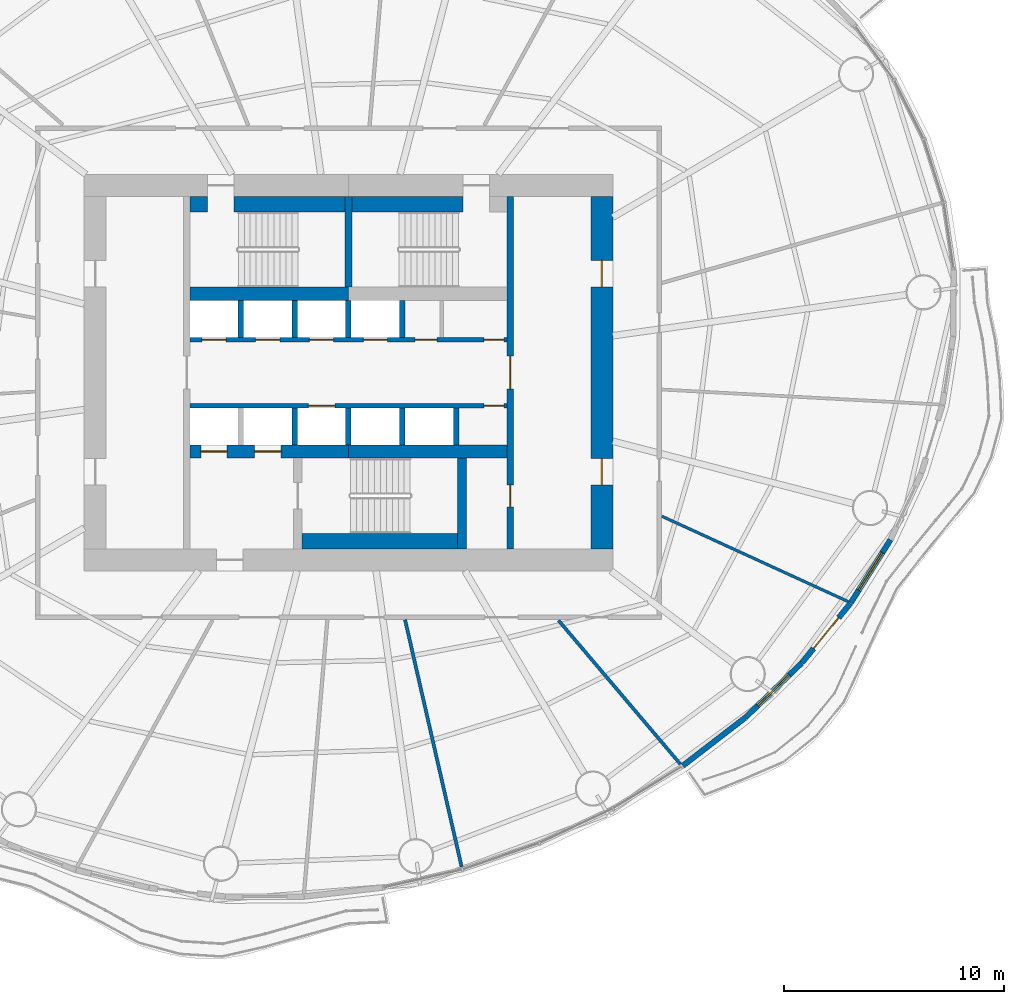
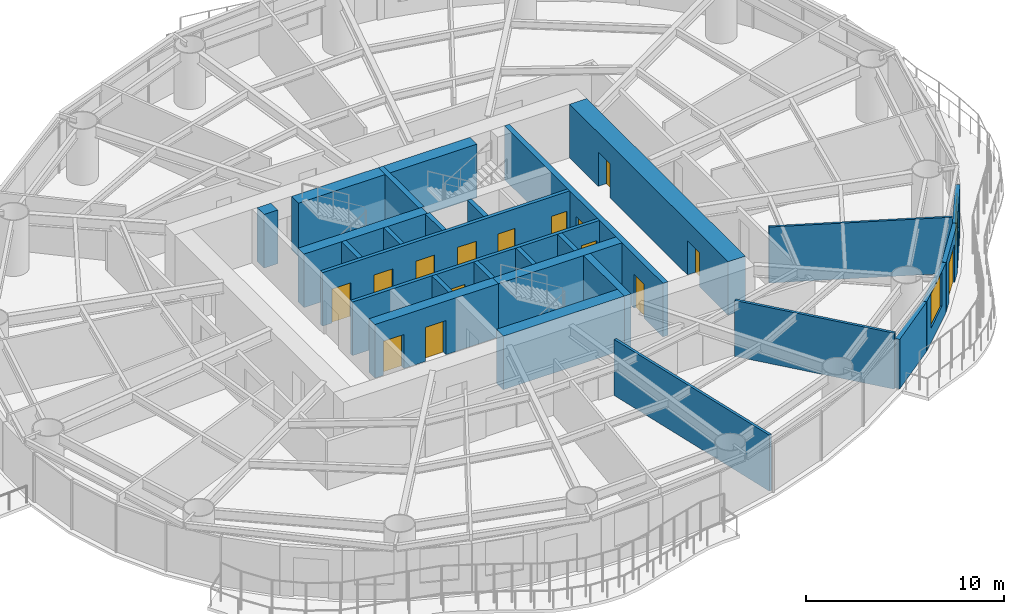
# One storey, part 8 of 15: 28 walls, 15 doors, 2 windows, 17 openings.
"""IFC4 building model written with IfcOpenShell, lengths in metres."""

from ifc_helpers import new_model, si_unit, direction, frame, frame_2d, origin, place, context, subcontext, project, spatial, rectangle, extrude, material, layer, layer_set, type_object, element, fill, save


model = new_model("IFC4")

# Units and contexts
model_context = context("Model", 3, precision=1e-05, world=origin(), true_north=direction((0.0, 1.0)))
body_context = subcontext(model_context, "Body", "Model", "MODEL_VIEW")
ifc_project = project(units=[si_unit("LENGTHUNIT", "METRE"), si_unit("AREAUNIT", "SQUARE_METRE"), si_unit("VOLUMEUNIT", "CUBIC_METRE"), si_unit("PLANEANGLEUNIT", "RADIAN"), si_unit("MASSUNIT", "GRAM", prefix="KILO")], contexts=[model_context])

# Site, building, storey
site_placement = place(None, origin())
site = spatial("IfcSite", under=ifc_project, at=site_placement, CompositionType="ELEMENT")
building_placement = place(site_placement, origin())
building = spatial("IfcBuilding", under=site, at=building_placement, Name="Vermilion Reach Broadcast Tower", CompositionType="ELEMENT")
storey_placement = place(building_placement, frame((0.0, 0.0, 121.0)))
storey = spatial("IfcBuildingStorey", under=building, at=storey_placement, Name="L28", CompositionType="ELEMENT", Elevation=121.0)

# Wall, openings, doors
ifc_material_1 = material(Name="Concrete C70", Category="concrete")
ifc_layer_1 = layer(ifc_material_1, 0.300048828125)
ifc_layer_set_1 = layer_set([ifc_layer_1], Name="Core inner wall 300 mm Concrete C70")
wall_type_1 = type_object("IfcWallType", Name="Core inner wall 300 mm Concrete C70", PredefinedType="SHEAR", material=ifc_layer_set_1)
wall_1_placement = place(storey_placement, frame((1.35009765625, -8.0, 0.0), z_axis=(0.0, 0.0, 1.0), x_axis=(0.0, 1.0, 0.0)))
wall_1 = element("IfcWall", 1, at=wall_1_placement, inside=storey, type_object=wall_type_1, Name="L28 core wall ewE", PredefinedType="SHEAR", context=body_context, shape_type="SweptSolid", body=[
    extrude(rectangle(XDim=16.0, YDim=0.300048828125, at=frame_2d((8.0, 0.0))), origin(), (0.0, 0.0, 1.0), 3.300048828125),
])
opening_1_placement = place(wall_1_placement, frame((1.909912109375, 0.0, 0.0)))
opening_1 = element("IfcOpeningElement", 2, at=opening_1_placement, cuts=wall_1, Name="Opening D05", PredefinedType="OPENING", context=body_context, shape_type="SweptSolid", body=[
    extrude(rectangle(XDim=1.0, YDim=2.10009765625, at=frame_2d((0.5, 1.050048828125))), frame((0.0, 0.159912109375, 0.0), z_axis=(0.0, -1.0, 0.0), x_axis=(1.0, 0.0, 0.0)), (0.0, 0.0, 1.0), 0.320068359375),
])
opening_2_placement = place(wall_1_placement, frame((7.25, 0.0, 0.0)))
opening_2 = element("IfcOpeningElement", 3, at=opening_2_placement, cuts=wall_1, Name="Opening D04", PredefinedType="OPENING", context=body_context, shape_type="SweptSolid", body=[
    extrude(rectangle(XDim=1.5, YDim=2.10009765625, at=frame_2d((0.75, 1.050048828125))), frame((0.0, 0.159912109375, 0.0), z_axis=(0.0, -1.0, 0.0), x_axis=(1.0, 0.0, 0.0)), (0.0, 0.0, 1.0), 0.320068359375),
])
ifc_material_2 = material(Name="Painted steel fire door", Category="steel")
door_type_1 = type_object("IfcDoorType", Name="Lift lobby door 1500 x 2100", OperationType="DOUBLE_DOOR_SINGLE_SWING", PredefinedType="NOTDEFINED", material=ifc_material_2)
door_1_placement = place(opening_2_placement, origin())
door_1 = element("IfcDoor", 4, at=door_1_placement, inside=storey, type_object=door_type_1, Name="L28 band door BE", OperationType="DOUBLE_DOOR_SINGLE_SWING", OverallHeight=2.10009765625, OverallWidth=1.5, PredefinedType="NOTDEFINED", context=body_context, shape_type="SweptSolid", body=[
    extrude(rectangle(XDim=1.5, YDim=2.10009765625, at=frame_2d((0.75, 1.050048828125))), frame((0.0, 0.02490234375, 0.0), z_axis=(0.0, -1.0, 0.0), x_axis=(1.0, 0.0, 0.0)), (0.0, 0.0, 1.0), 0.050048828125),
])
fill(opening_2, door_1)
ifc_material_3 = material(Name="Timber door", Category="wood")
door_type_2 = type_object("IfcDoorType", Name="Room door 1000 x 2100", OperationType="NOTDEFINED", PredefinedType="NOTDEFINED", material=ifc_material_3)
door_2_placement = place(opening_1_placement, origin())
door_2 = element("IfcDoor", 5, at=door_2_placement, inside=storey, type_object=door_type_2, Name="L28 door SER", OperationType="SINGLE_SWING_LEFT", OverallHeight=2.10009765625, OverallWidth=1.0, PredefinedType="NOTDEFINED", context=body_context, shape_type="SweptSolid", body=[
    extrude(rectangle(XDim=1.0, YDim=2.10009765625, at=frame_2d((0.5, 1.050048828125))), frame((0.0, 0.02490234375, 0.0), z_axis=(0.0, -1.0, 0.0), x_axis=(1.0, 0.0, 0.0)), (0.0, 0.0, 1.0), 0.050048828125),
])
fill(opening_1, door_2)

# Walls
wall_2_placement = place(storey_placement, frame((-6.0, 3.8798828125, 0.0), z_axis=(0.0, 0.0, 1.0), x_axis=(0.0, 1.0, 0.0)))
element("IfcWall", 6, at=wall_2_placement, inside=storey, type_object=wall_type_1, Name="L28 core wall wc", PredefinedType="SHEAR", context=body_context, shape_type="SweptSolid", body=[
    extrude(rectangle(XDim=4.1201171875, YDim=0.300048828125, at=frame_2d((2.06005859375, 0.0))), origin(), (0.0, 0.0, 1.0), 3.300048828125),
])
ifc_material_4 = material(Name="Concrete C70", Category="concrete")
ifc_layer_2 = layer(ifc_material_4, 0.39990234375)
ifc_layer_set_2 = layer_set([ifc_layer_2], Name="Core inner wall 400 mm Concrete C70")
wall_type_2 = type_object("IfcWallType", Name="Core inner wall 400 mm Concrete C70", PredefinedType="SHEAR", material=ifc_layer_set_2)
wall_3_placement = place(storey_placement, frame((-0.85009765625, -3.8798828125, 0.0), z_axis=(0.0, 0.0, 1.0), x_axis=(0.0, -1.0, 0.0)))
element("IfcWall", 7, at=wall_3_placement, inside=storey, type_object=wall_type_2, Name="L28 core wall wb", PredefinedType="SHEAR", context=body_context, shape_type="SweptSolid", body=[
    extrude(rectangle(XDim=4.1201171875, YDim=0.39990234375, at=frame_2d((2.06005859375, 0.0))), origin(), (0.0, 0.0, 1.0), 3.300048828125),
])
ifc_material_5 = material(Name="Concrete C70", Category="concrete")
ifc_layer_3 = layer(ifc_material_5, 0.60009765625)
ifc_layer_set_3 = layer_set([ifc_layer_3], Name="Core inner wall 600 mm Concrete C70")
wall_type_3 = type_object("IfcWallType", Name="Core inner wall 600 mm Concrete C70", PredefinedType="SHEAR", material=ifc_layer_set_3)
wall_4_placement = place(storey_placement, frame((-13.199951171875, 3.580078125, 0.0), z_axis=(0.0, 0.0, 1.0), x_axis=(1.0, 0.0, 0.0)))
element("IfcWall", 8, at=wall_4_placement, inside=storey, type_object=wall_type_3, Name="L28 core wall winW", PredefinedType="SHEAR", context=body_context, shape_type="SweptSolid", body=[
    extrude(rectangle(XDim=7.199951171875, YDim=0.60009765625, at=frame_2d((3.60009765625, 0.0))), origin(), (0.0, 0.0, 1.0), 3.300048828125),
])

# Wall, openings, doors
wall_5_placement = place(storey_placement, frame((-13.199951171875, -3.580078125, 0.0), z_axis=(0.0, 0.0, 1.0), x_axis=(1.0, 0.0, 0.0)))
wall_5 = element("IfcWall", 9, at=wall_5_placement, inside=storey, type_object=wall_type_3, Name="L28 core wall wisW", PredefinedType="SHEAR", context=body_context, shape_type="SweptSolid", body=[
    extrude(rectangle(XDim=7.199951171875, YDim=0.60009765625, at=frame_2d((3.60009765625, 0.0))), origin(), (0.0, 0.0, 1.0), 3.300048828125),
])
opening_3_placement = place(wall_5_placement, frame((0.495849609375, 0.0, 0.0)))
opening_3 = element("IfcOpeningElement", 10, at=opening_3_placement, cuts=wall_5, Name="Opening LD1", PredefinedType="OPENING", context=body_context, shape_type="SweptSolid", body=[
    extrude(rectangle(XDim=1.199951171875, YDim=2.10009765625, at=frame_2d((0.60009765625, 1.050048828125))), frame((0.0, 0.31005859375, 0.0), z_axis=(0.0, -1.0, 0.0), x_axis=(1.0, 0.0, 0.0)), (0.0, 0.0, 1.0), 0.6201171875),
])
opening_4_placement = place(wall_5_placement, frame((2.9375, 0.0, 0.0)))
opening_4 = element("IfcOpeningElement", 11, at=opening_4_placement, cuts=wall_5, Name="Opening LD1", PredefinedType="OPENING", context=body_context, shape_type="SweptSolid", body=[
    extrude(rectangle(XDim=1.199951171875, YDim=2.10009765625, at=frame_2d((0.60009765625, 1.050048828125))), frame((0.0, 0.31005859375, 0.0), z_axis=(0.0, -1.0, 0.0), x_axis=(1.0, 0.0, 0.0)), (0.0, 0.0, 1.0), 0.6201171875),
])
ifc_material_6 = material(Name="Stainless steel", Category="steel")
door_type_3 = type_object("IfcDoorType", Name="Landing door 1200 x 2100", OperationType="DOUBLE_DOOR_SLIDING", PredefinedType="NOTDEFINED", material=ifc_material_6)
door_3_placement = place(opening_3_placement, origin())
door_3 = element("IfcDoor", 12, at=door_3_placement, inside=storey, type_object=door_type_3, Name="L28 landing door FF1", OperationType="DOUBLE_DOOR_SLIDING", OverallHeight=2.10009765625, OverallWidth=1.199951171875, PredefinedType="NOTDEFINED", context=body_context, shape_type="SweptSolid", body=[
    extrude(rectangle(XDim=1.199951171875, YDim=2.10009765625, at=frame_2d((0.60009765625, 1.050048828125))), frame((0.0, 0.02490234375, 0.0), z_axis=(0.0, -1.0, 0.0), x_axis=(1.0, 0.0, 0.0)), (0.0, 0.0, 1.0), 0.050048828125),
])
fill(opening_3, door_3)
door_4_placement = place(opening_4_placement, origin())
door_4 = element("IfcDoor", 13, at=door_4_placement, inside=storey, type_object=door_type_3, Name="L28 landing door FF2", OperationType="DOUBLE_DOOR_SLIDING", OverallHeight=2.10009765625, OverallWidth=1.199951171875, PredefinedType="NOTDEFINED", context=body_context, shape_type="SweptSolid", body=[
    extrude(rectangle(XDim=1.199951171875, YDim=2.10009765625, at=frame_2d((0.60009765625, 1.050048828125))), frame((0.0, 0.02490234375, 0.0), z_axis=(0.0, -1.0, 0.0), x_axis=(1.0, 0.0, 0.0)), (0.0, 0.0, 1.0), 0.050048828125),
])
fill(opening_4, door_4)

# Wall
wall_6_placement = place(storey_placement, frame((-6.0, -3.580078125, 0.0), z_axis=(0.0, 0.0, 1.0), x_axis=(1.0, 0.0, 0.0)))
element("IfcWall", 14, at=wall_6_placement, inside=storey, type_object=wall_type_3, Name="L28 core wall wisE", PredefinedType="SHEAR", context=body_context, shape_type="SweptSolid", body=[
    extrude(rectangle(XDim=7.199951171875, YDim=0.60009765625, at=frame_2d((3.60009765625, 0.0))), origin(), (0.0, 0.0, 1.0), 3.300048828125),
])

# Wall, openings, doors
ifc_material_7 = material(Name="Concrete C70", Category="concrete")
ifc_layer_4 = layer(ifc_material_7, 1.0)
ifc_layer_set_4 = layer_set([ifc_layer_4], Name="Core outer wall 1000 mm Concrete C70")
wall_type_4 = type_object("IfcWallType", Name="Core outer wall 1000 mm Concrete C70", PredefinedType="SHEAR", material=ifc_layer_set_4)
wall_7_placement = place(storey_placement, frame((5.5, -8.0, 0.0), z_axis=(0.0, 0.0, 1.0), x_axis=(0.0, 1.0, 0.0)))
wall_7 = element("IfcWall", 15, at=wall_7_placement, inside=storey, type_object=wall_type_4, Name="L28 core wall oe", PredefinedType="SHEAR", context=body_context, shape_type="SweptSolid", body=[
    extrude(rectangle(XDim=16.0, YDim=1.0, at=frame_2d((8.0, 0.0))), origin(), (0.0, 0.0, 1.0), 3.300048828125),
])
opening_5_placement = place(wall_7_placement, frame((2.89990234375, 0.0, 0.0)))
opening_5 = element("IfcOpeningElement", 16, at=opening_5_placement, cuts=wall_7, Name="Opening D03", PredefinedType="OPENING", context=body_context, shape_type="SweptSolid", body=[
    extrude(rectangle(XDim=1.199951171875, YDim=2.10009765625, at=frame_2d((0.60009765625, 1.050048828125))), frame((0.0, 0.510009765625, 0.0), z_axis=(0.0, -1.0, 0.0), x_axis=(1.0, 0.0, 0.0)), (0.0, 0.0, 1.0), 1.02001953125),
])
opening_6_placement = place(wall_7_placement, frame((11.89990234375, 0.0, 0.0)))
opening_6 = element("IfcOpeningElement", 17, at=opening_6_placement, cuts=wall_7, Name="Opening D03", PredefinedType="OPENING", context=body_context, shape_type="SweptSolid", body=[
    extrude(rectangle(XDim=1.199951171875, YDim=2.10009765625, at=frame_2d((0.60009765625, 1.050048828125))), frame((0.0, 0.510009765625, 0.0), z_axis=(0.0, -1.0, 0.0), x_axis=(1.0, 0.0, 0.0)), (0.0, 0.0, 1.0), 1.02001953125),
])
ifc_material_8 = material(Name="Painted steel fire door", Category="steel")
door_type_4 = type_object("IfcDoorType", Name="Core lobby door 1200 x 2100", OperationType="DOUBLE_DOOR_SINGLE_SWING", PredefinedType="NOTDEFINED", material=ifc_material_8)
door_5_placement = place(opening_5_placement, origin())
door_5 = element("IfcDoor", 18, at=door_5_placement, inside=storey, type_object=door_type_4, Name="L28 slot door E0", OperationType="DOUBLE_DOOR_SINGLE_SWING", OverallHeight=2.10009765625, OverallWidth=1.199951171875, PredefinedType="NOTDEFINED", context=body_context, shape_type="SweptSolid", body=[
    extrude(rectangle(XDim=1.199951171875, YDim=2.10009765625, at=frame_2d((0.60009765625, 1.050048828125))), frame((0.0, 0.02490234375, 0.0), z_axis=(0.0, -1.0, 0.0), x_axis=(1.0, 0.0, 0.0)), (0.0, 0.0, 1.0), 0.050048828125),
])
fill(opening_5, door_5)
door_6_placement = place(opening_6_placement, origin())
door_6 = element("IfcDoor", 19, at=door_6_placement, inside=storey, type_object=door_type_4, Name="L28 slot door E1", OperationType="DOUBLE_DOOR_SINGLE_SWING", OverallHeight=2.10009765625, OverallWidth=1.199951171875, PredefinedType="NOTDEFINED", context=body_context, shape_type="SweptSolid", body=[
    extrude(rectangle(XDim=1.199951171875, YDim=2.10009765625, at=frame_2d((0.60009765625, 1.050048828125))), frame((0.0, 0.02490234375, 0.0), z_axis=(0.0, -1.0, 0.0), x_axis=(1.0, 0.0, 0.0)), (0.0, 0.0, 1.0), 0.050048828125),
])
fill(opening_6, door_6)

ifc_material_9 = material(Name="Concrete C50", Category="concrete")
ifc_layer_5 = layer(ifc_material_9, 0.199951171875)
ifc_layer_set_5 = layer_set([ifc_layer_5], Name="Core shaft wall 200 mm Concrete C50")
wall_type_5 = type_object("IfcWallType", Name="Core shaft wall 200 mm Concrete C50", PredefinedType="SHEAR", material=ifc_layer_set_5)
wall_8_placement = place(storey_placement, frame((-13.199951171875, 1.5, 0.0), z_axis=(0.0, 0.0, 1.0), x_axis=(1.0, 0.0, 0.0)))
wall_8 = element("IfcWall", 20, at=wall_8_placement, inside=storey, type_object=wall_type_5, Name="L28 core wall fn", PredefinedType="SHEAR", context=body_context, shape_type="SweptSolid", body=[
    extrude(rectangle(XDim=14.39990234375, YDim=0.199951171875, at=frame_2d((7.199951171875, 0.0))), origin(), (0.0, 0.0, 1.0), 3.300048828125),
])
opening_7_placement = place(wall_8_placement, frame((0.5458984375, 0.0, 0.0)))
opening_7 = element("IfcOpeningElement", 21, at=opening_7_placement, cuts=wall_8, Name="Opening LD2", PredefinedType="OPENING", context=body_context, shape_type="SweptSolid", body=[
    extrude(rectangle(XDim=1.10009765625, YDim=2.10009765625, at=frame_2d((0.550048828125, 1.050048828125))), frame((0.0, 0.10986328125, 0.0), z_axis=(0.0, -1.0, 0.0), x_axis=(1.0, 0.0, 0.0)), (0.0, 0.0, 1.0), 0.219970703125),
])
opening_8_placement = place(wall_8_placement, frame((2.987548828125, 0.0, 0.0)))
opening_8 = element("IfcOpeningElement", 22, at=opening_8_placement, cuts=wall_8, Name="Opening LD2", PredefinedType="OPENING", context=body_context, shape_type="SweptSolid", body=[
    extrude(rectangle(XDim=1.10009765625, YDim=2.10009765625, at=frame_2d((0.550048828125, 1.050048828125))), frame((0.0, 0.10986328125, 0.0), z_axis=(0.0, -1.0, 0.0), x_axis=(1.0, 0.0, 0.0)), (0.0, 0.0, 1.0), 0.219970703125),
])
opening_9_placement = place(wall_8_placement, frame((5.42919921875, 0.0, 0.0)))
opening_9 = element("IfcOpeningElement", 23, at=opening_9_placement, cuts=wall_8, Name="Opening LD2", PredefinedType="OPENING", context=body_context, shape_type="SweptSolid", body=[
    extrude(rectangle(XDim=1.10009765625, YDim=2.10009765625, at=frame_2d((0.550048828125, 1.050048828125))), frame((0.0, 0.10986328125, 0.0), z_axis=(0.0, -1.0, 0.0), x_axis=(1.0, 0.0, 0.0)), (0.0, 0.0, 1.0), 0.219970703125),
])
opening_10_placement = place(wall_8_placement, frame((7.870849609375, 0.0, 0.0)))
opening_10 = element("IfcOpeningElement", 24, at=opening_10_placement, cuts=wall_8, Name="Opening LD2", PredefinedType="OPENING", context=body_context, shape_type="SweptSolid", body=[
    extrude(rectangle(XDim=1.10009765625, YDim=2.10009765625, at=frame_2d((0.550048828125, 1.050048828125))), frame((0.0, 0.10986328125, 0.0), z_axis=(0.0, -1.0, 0.0), x_axis=(1.0, 0.0, 0.0)), (0.0, 0.0, 1.0), 0.219970703125),
])
opening_11_placement = place(wall_8_placement, frame((10.209716796875, 0.0, 0.0)))
opening_11 = element("IfcOpeningElement", 25, at=opening_11_placement, cuts=wall_8, Name="Opening D07", PredefinedType="OPENING", context=body_context, shape_type="SweptSolid", body=[
    extrude(rectangle(XDim=1.0, YDim=2.10009765625, at=frame_2d((0.5, 1.050048828125))), frame((0.0, 0.10986328125, 0.0), z_axis=(0.0, -1.0, 0.0), x_axis=(1.0, 0.0, 0.0)), (0.0, 0.0, 1.0), 0.219970703125),
])
opening_12_placement = place(wall_8_placement, frame((13.35009765625, 0.0, 0.0)))
opening_12 = element("IfcOpeningElement", 26, at=opening_12_placement, cuts=wall_8, Name="Opening D06", PredefinedType="OPENING", context=body_context, shape_type="SweptSolid", body=[
    extrude(rectangle(XDim=0.89990234375, YDim=2.10009765625, at=frame_2d((0.449951171875, 1.050048828125))), frame((0.0, 0.10986328125, 0.0), z_axis=(0.0, -1.0, 0.0), x_axis=(1.0, 0.0, 0.0)), (0.0, 0.0, 1.0), 0.219970703125),
])
ifc_material_10 = material(Name="Timber door", Category="wood")
door_type_5 = type_object("IfcDoorType", Name="Accessible WC door 1000 x 2100", OperationType="NOTDEFINED", PredefinedType="NOTDEFINED", material=ifc_material_10)
door_7_placement = place(opening_11_placement, origin())
door_7 = element("IfcDoor", 27, at=door_7_placement, inside=storey, type_object=door_type_5, Name="L28 door Accessible WC", OperationType="SINGLE_SWING_RIGHT", OverallHeight=2.10009765625, OverallWidth=1.0, PredefinedType="NOTDEFINED", context=body_context, shape_type="SweptSolid", body=[
    extrude(rectangle(XDim=1.0, YDim=2.10009765625, at=frame_2d((0.5, 1.050048828125))), frame((0.0, 0.02490234375, 0.0), z_axis=(0.0, -1.0, 0.0), x_axis=(1.0, 0.0, 0.0)), (0.0, 0.0, 1.0), 0.050048828125),
])
fill(opening_11, door_7)
ifc_material_11 = material(Name="Stainless steel", Category="steel")
door_type_6 = type_object("IfcDoorType", Name="Landing door 1100 x 2100", OperationType="DOUBLE_DOOR_SLIDING", PredefinedType="NOTDEFINED", material=ifc_material_11)
door_8_placement = place(opening_7_placement, origin())
door_8 = element("IfcDoor", 28, at=door_8_placement, inside=storey, type_object=door_type_6, Name="L28 landing door LR1", OperationType="DOUBLE_DOOR_SLIDING", OverallHeight=2.10009765625, OverallWidth=1.10009765625, PredefinedType="NOTDEFINED", context=body_context, shape_type="SweptSolid", body=[
    extrude(rectangle(XDim=1.10009765625, YDim=2.10009765625, at=frame_2d((0.550048828125, 1.050048828125))), frame((0.0, 0.02490234375, 0.0), z_axis=(0.0, -1.0, 0.0), x_axis=(1.0, 0.0, 0.0)), (0.0, 0.0, 1.0), 0.050048828125),
])
fill(opening_7, door_8)
door_9_placement = place(opening_8_placement, origin())
door_9 = element("IfcDoor", 29, at=door_9_placement, inside=storey, type_object=door_type_6, Name="L28 landing door LR2", OperationType="DOUBLE_DOOR_SLIDING", OverallHeight=2.10009765625, OverallWidth=1.10009765625, PredefinedType="NOTDEFINED", context=body_context, shape_type="SweptSolid", body=[
    extrude(rectangle(XDim=1.10009765625, YDim=2.10009765625, at=frame_2d((0.550048828125, 1.050048828125))), frame((0.0, 0.02490234375, 0.0), z_axis=(0.0, -1.0, 0.0), x_axis=(1.0, 0.0, 0.0)), (0.0, 0.0, 1.0), 0.050048828125),
])
fill(opening_8, door_9)
door_10_placement = place(opening_9_placement, origin())
door_10 = element("IfcDoor", 30, at=door_10_placement, inside=storey, type_object=door_type_6, Name="L28 landing door LR3", OperationType="DOUBLE_DOOR_SLIDING", OverallHeight=2.10009765625, OverallWidth=1.10009765625, PredefinedType="NOTDEFINED", context=body_context, shape_type="SweptSolid", body=[
    extrude(rectangle(XDim=1.10009765625, YDim=2.10009765625, at=frame_2d((0.550048828125, 1.050048828125))), frame((0.0, 0.02490234375, 0.0), z_axis=(0.0, -1.0, 0.0), x_axis=(1.0, 0.0, 0.0)), (0.0, 0.0, 1.0), 0.050048828125),
])
fill(opening_9, door_10)
door_11_placement = place(opening_10_placement, origin())
door_11 = element("IfcDoor", 31, at=door_11_placement, inside=storey, type_object=door_type_6, Name="L28 landing door LR4", OperationType="DOUBLE_DOOR_SLIDING", OverallHeight=2.10009765625, OverallWidth=1.10009765625, PredefinedType="NOTDEFINED", context=body_context, shape_type="SweptSolid", body=[
    extrude(rectangle(XDim=1.10009765625, YDim=2.10009765625, at=frame_2d((0.550048828125, 1.050048828125))), frame((0.0, 0.02490234375, 0.0), z_axis=(0.0, -1.0, 0.0), x_axis=(1.0, 0.0, 0.0)), (0.0, 0.0, 1.0), 0.050048828125),
])
fill(opening_10, door_11)
ifc_material_12 = material(Name="Timber door", Category="wood")
door_type_7 = type_object("IfcDoorType", Name="WC door 900 x 2100", OperationType="NOTDEFINED", PredefinedType="NOTDEFINED", material=ifc_material_12)
door_12_placement = place(opening_12_placement, origin())
door_12 = element("IfcDoor", 32, at=door_12_placement, inside=storey, type_object=door_type_7, Name="L28 door Female WC", OperationType="SINGLE_SWING_RIGHT", OverallHeight=2.10009765625, OverallWidth=0.89990234375, PredefinedType="NOTDEFINED", context=body_context, shape_type="SweptSolid", body=[
    extrude(rectangle(XDim=0.89990234375, YDim=2.10009765625, at=frame_2d((0.449951171875, 1.050048828125))), frame((0.0, 0.02490234375, 0.0), z_axis=(0.0, -1.0, 0.0), x_axis=(1.0, 0.0, 0.0)), (0.0, 0.0, 1.0), 0.050048828125),
])
fill(opening_12, door_12)

wall_9_placement = place(storey_placement, frame((1.199951171875, -1.5, 0.0), z_axis=(0.0, 0.0, 1.0), x_axis=(-1.0, 0.0, 0.0)))
wall_9 = element("IfcWall", 33, at=wall_9_placement, inside=storey, type_object=wall_type_5, Name="L28 core wall fs", PredefinedType="SHEAR", context=body_context, shape_type="SweptSolid", body=[
    extrude(rectangle(XDim=14.39990234375, YDim=0.199951171875, at=frame_2d((7.199951171875, 0.0))), origin(), (0.0, 0.0, 1.0), 3.300048828125),
])
opening_13_placement = place(wall_9_placement, frame((7.82080078125, 0.0, 0.0)))
opening_13 = element("IfcOpeningElement", 34, at=opening_13_placement, cuts=wall_9, Name="Opening LD1", PredefinedType="OPENING", context=body_context, shape_type="SweptSolid", body=[
    extrude(rectangle(XDim=1.199951171875, YDim=2.10009765625, at=frame_2d((0.60009765625, 1.050048828125))), frame((0.0, 0.10986328125, 0.0), z_axis=(0.0, -1.0, 0.0), x_axis=(1.0, 0.0, 0.0)), (0.0, 0.0, 1.0), 0.219970703125),
])
opening_14_placement = place(wall_9_placement, frame((0.14990234375, 0.0, 0.0)))
opening_14 = element("IfcOpeningElement", 35, at=opening_14_placement, cuts=wall_9, Name="Opening D06", PredefinedType="OPENING", context=body_context, shape_type="SweptSolid", body=[
    extrude(rectangle(XDim=0.89990234375, YDim=2.10009765625, at=frame_2d((0.449951171875, 1.050048828125))), frame((0.0, 0.10986328125, 0.0), z_axis=(0.0, -1.0, 0.0), x_axis=(1.0, 0.0, 0.0)), (0.0, 0.0, 1.0), 0.219970703125),
])
door_13_placement = place(opening_13_placement, origin())
door_13 = element("IfcDoor", 36, at=door_13_placement, inside=storey, type_object=door_type_3, Name="L28 landing door SV1", OperationType="DOUBLE_DOOR_SLIDING", OverallHeight=2.10009765625, OverallWidth=1.199951171875, PredefinedType="NOTDEFINED", context=body_context, shape_type="SweptSolid", body=[
    extrude(rectangle(XDim=1.199951171875, YDim=2.10009765625, at=frame_2d((0.60009765625, 1.050048828125))), frame((0.0, 0.02490234375, 0.0), z_axis=(0.0, -1.0, 0.0), x_axis=(1.0, 0.0, 0.0)), (0.0, 0.0, 1.0), 0.050048828125),
])
fill(opening_13, door_13)
door_14_placement = place(opening_14_placement, origin())
door_14 = element("IfcDoor", 37, at=door_14_placement, inside=storey, type_object=door_type_7, Name="L28 door Male WC", OperationType="SINGLE_SWING_LEFT", OverallHeight=2.10009765625, OverallWidth=0.89990234375, PredefinedType="NOTDEFINED", context=body_context, shape_type="SweptSolid", body=[
    extrude(rectangle(XDim=0.89990234375, YDim=2.10009765625, at=frame_2d((0.449951171875, 1.050048828125))), frame((0.0, 0.02490234375, 0.0), z_axis=(0.0, -1.0, 0.0), x_axis=(1.0, 0.0, 0.0)), (0.0, 0.0, 1.0), 0.050048828125),
])
fill(opening_14, door_14)

# Walls
ifc_material_13 = material(Name="Concrete C50", Category="concrete")
ifc_layer_6 = layer(ifc_material_13, 0.25)
ifc_layer_set_6 = layer_set([ifc_layer_6], Name="Core shaft wall 250 mm Concrete C50")
wall_type_6 = type_object("IfcWallType", Name="Core shaft wall 250 mm Concrete C50", PredefinedType="SHEAR", material=ifc_layer_set_6)
for number, where, z_axis, x_axis, name in (
    (38, (-10.88330078125, 1.60009765625, 0.0), (0.0, 0.0, 1.0), (0.0, 1.0, 0.0), "L28 core wall psN0"),
    (39, (-8.441650390625, 1.60009765625, 0.0), (0.0, 0.0, 1.0), (0.0, 1.0, 0.0), "L28 core wall psN1"),
    (40, (-6.0, 1.60009765625, 0.0), (0.0, 0.0, 1.0), (0.0, 1.0, 0.0), "L28 core wall psN2"),
    (41, (-3.558349609375, 1.60009765625, 0.0), (0.0, 0.0, 1.0), (0.0, 1.0, 0.0), "L28 core wall psN3"),
    (42, (-8.441650390625, -1.60009765625, 0.0), (0.0, 0.0, 1.0), (0.0, -1.0, 0.0), "L28 core wall psS1"),
    (43, (-6.0, -1.60009765625, 0.0), (0.0, 0.0, 1.0), (0.0, -1.0, 0.0), "L28 core wall psS2"),
    (44, (-3.558349609375, -1.60009765625, 0.0), (0.0, 0.0, 1.0), (0.0, -1.0, 0.0), "L28 core wall psS3"),
    (45, (-1.11669921875, -1.60009765625, 0.0), (0.0, 0.0, 1.0), (0.0, -1.0, 0.0), "L28 core wall psS4"),
):
    element("IfcWall", number, at=place(storey_placement, frame(where, z_axis=z_axis, x_axis=x_axis)), inside=storey, type_object=wall_type_6, Name=name, PredefinedType="SHEAR", context=body_context, shape_type="SweptSolid", body=[
        extrude(rectangle(XDim=1.679931640625, YDim=0.25, at=frame_2d((0.83984375, 0.0))), origin(), (0.0, 0.0, 1.0), 3.300048828125),
    ])
ifc_material_14 = material(Name="Concrete C70", Category="concrete")
ifc_layer_7 = layer(ifc_material_14, 0.699951171875)
ifc_layer_set_7 = layer_set([ifc_layer_7], Name="Core stair wall 700 mm Concrete C70")
wall_type_7 = type_object("IfcWallType", Name="Core stair wall 700 mm Concrete C70", PredefinedType="SHEAR", material=ifc_layer_set_7)
wall_10_placement = place(storey_placement, frame((-13.199951171875, 7.64990234375, 0.0), z_axis=(0.0, 0.0, 1.0), x_axis=(1.0, 0.0, 0.0)))
element("IfcWall", 46, at=wall_10_placement, inside=storey, type_object=wall_type_7, Name="L28 core wall l1a", PredefinedType="SHEAR", context=body_context, shape_type="SweptSolid", body=[
    extrude(rectangle(XDim=0.800048828125, YDim=0.699951171875, at=frame_2d((0.39990234375, 0.0))), origin(), (0.0, 0.0, 1.0), 3.300048828125),
])
for number, where, z_axis, x_axis, name in (
    (47, (-11.199951171875, 7.64990234375, 0.0), (0.0, 0.0, 1.0), (1.0, 0.0, 0.0), "L28 core wall l1b"),
    (48, (-5.85009765625, 7.64990234375, 0.0), (0.0, 0.0, 1.0), (1.0, 0.0, 0.0), "L28 core wall l2a"),
):
    element("IfcWall", number, at=place(storey_placement, frame(where, z_axis=z_axis, x_axis=x_axis)), inside=storey, type_object=wall_type_7, Name=name, PredefinedType="SHEAR", context=body_context, shape_type="SweptSolid", body=[
        extrude(rectangle(XDim=5.050048828125, YDim=0.699951171875, at=frame_2d((2.52490234375, 0.0))), origin(), (0.0, 0.0, 1.0), 3.300048828125),
    ])
wall_11_placement = place(storey_placement, frame((-8.10009765625, -7.64990234375, 0.0), z_axis=(0.0, 0.0, 1.0), x_axis=(1.0, 0.0, 0.0)))
element("IfcWall", 49, at=wall_11_placement, inside=storey, type_object=wall_type_7, Name="L28 core wall l3", PredefinedType="SHEAR", context=body_context, shape_type="SweptSolid", body=[
    extrude(rectangle(XDim=7.050048828125, YDim=0.699951171875, at=frame_2d((3.52490234375, 0.0))), origin(), (0.0, 0.0, 1.0), 3.300048828125),
])
ifc_material_15 = material(Name="Fire-rated plasterboard on steel stud", Category="steel")
ifc_layer_8 = layer(ifc_material_15, 0.125)
ifc_layer_set_8 = layer_set([ifc_layer_8], Name="Partition 125 fire-rated stud")
wall_type_8 = type_object("IfcWallType", Name="Partition 125 fire-rated stud", PredefinedType="PARTITIONING", material=ifc_layer_set_8)
wall_12_placement = place(storey_placement, frame((16.68798828125, -10.39501953125, 0.0), z_axis=(0.0, 0.0, 1.0), x_axis=(-0.909112835196, 0.416549940443, 0.0)))
element("IfcWall", 50, at=wall_12_placement, inside=storey, type_object=wall_type_8, Name="Partition 28.12", PredefinedType="PARTITIONING", context=body_context, shape_type="SweptSolid", body=[
    extrude(rectangle(XDim=9.307861328125, YDim=0.125, at=frame_2d((4.65380859375, 0.0))), origin(), (0.0, 0.0, 1.0), 3.449951171875),
])
ifc_material_16 = material(Name="Lightweight concrete block, plastered", Category="concrete")
ifc_layer_9 = layer(ifc_material_16, 0.14990234375)
ifc_layer_set_9 = layer_set([ifc_layer_9], Name="Partition 150 lightweight block")
wall_type_9 = type_object("IfcWallType", Name="Partition 150 lightweight block", PredefinedType="PARTITIONING", material=ifc_layer_set_9)
wall_13_placement = place(storey_placement, frame((-0.862060546875, -22.436767578125, 0.0), z_axis=(0.0, 0.0, 1.0), x_axis=(-0.223218715067, 0.974768385435, 0.0)))
element("IfcWall", 51, at=wall_13_placement, inside=storey, type_object=wall_type_9, Name="Partition 28.10", PredefinedType="PARTITIONING", context=body_context, shape_type="SweptSolid", body=[
    extrude(rectangle(XDim=11.510498046875, YDim=0.14990234375, at=frame_2d((5.75537109375, 0.0))), origin(), (0.0, 0.0, 1.0), 3.449951171875),
])
wall_14_placement = place(storey_placement, frame((9.068603515625, -17.773681640625, 0.0), z_axis=(0.0, 0.0, 1.0), x_axis=(-0.646671174143, 0.762768898509, 0.0)))
element("IfcWall", 52, at=wall_14_placement, inside=storey, type_object=wall_type_9, Name="Partition 28.11", PredefinedType="PARTITIONING", context=body_context, shape_type="SweptSolid", body=[
    extrude(rectangle(XDim=8.554443359375, YDim=0.14990234375, at=frame_2d((4.27734375, 0.0))), origin(), (0.0, 0.0, 1.0), 3.449951171875),
])
ifc_material_17 = material(Name="Terracotta rainscreen cladding", Category="masonry")
ifc_layer_10 = layer(ifc_material_17, 0.25)
ifc_layer_set_10 = layer_set([ifc_layer_10], Name="Terracotta rainscreen wall 250")
wall_type_10 = type_object("IfcWallType", Name="Terracotta rainscreen wall 250", PredefinedType="SOLIDWALL", material=ifc_layer_set_10)
wall_15_placement = place(storey_placement, frame((9.182861328125, -17.843017578125, 0.0), z_axis=(0.0, 0.0, 1.0), x_axis=(0.792037804, 0.610472044433, 0.0)))
element("IfcWall", 53, at=wall_15_placement, inside=storey, type_object=wall_type_10, Name="External wall L28 38", PredefinedType="SOLIDWALL", context=body_context, shape_type="SweptSolid", body=[
    extrude(rectangle(XDim=3.563232421875, YDim=0.25, at=frame_2d((1.78173828125, 0.0))), origin(), (0.0, 0.0, 1.0), 3.050048828125),
])

# Wall, opening, window
wall_16_placement = place(storey_placement, frame((12.021728515625, -15.6533203125, 0.0), z_axis=(0.0, 0.0, 1.0), x_axis=(0.718334776763, 0.695697598453, 0.0)))
wall_16 = element("IfcWall", 54, at=wall_16_placement, inside=storey, type_object=wall_type_10, Name="External wall L28 39", PredefinedType="SOLIDWALL", context=body_context, shape_type="SweptSolid", body=[
    extrude(rectangle(XDim=3.54833984375, YDim=0.25, at=frame_2d((1.774169921875, 0.0))), origin(), (0.0, 0.0, 1.0), 3.050048828125),
])
opening_15_placement = place(wall_16_placement, frame((0.77392578125, 0.0, 0.89990234375)))
opening_15 = element("IfcOpeningElement", 55, at=opening_15_placement, cuts=wall_16, Name="Opening W03", PredefinedType="OPENING", context=body_context, shape_type="SweptSolid", body=[
    extrude(rectangle(XDim=2.0, YDim=2.10009765625, at=frame_2d((1.0, 1.050048828125))), frame((0.0, 0.135009765625, 0.0), z_axis=(0.0, -1.0, 0.0), x_axis=(1.0, 0.0, 0.0)), (0.0, 0.0, 1.0), 0.27001953125),
])
ifc_material_18 = material(Name="Low-e laminated clear glass in aluminium frame", Category="aluminium")
window_type = type_object("IfcWindowType", Name="Punched window 2000 x 2100 sill 900", PartitioningType="SINGLE_PANEL", PredefinedType="WINDOW", material=ifc_material_18)
window_1_placement = place(opening_15_placement, origin())
window_1 = element("IfcWindow", 56, at=window_1_placement, inside=storey, type_object=window_type, Name="Window L28 39", OverallHeight=2.10009765625, OverallWidth=2.0, PartitioningType="SINGLE_PANEL", PredefinedType="WINDOW", context=body_context, shape_type="SweptSolid", body=[
    extrude(rectangle(XDim=2.0, YDim=2.10009765625, at=frame_2d((1.0, 1.050048828125))), frame((0.0, 0.030029296875, 0.0), z_axis=(0.0, -1.0, 0.0), x_axis=(1.0, 0.0, 0.0)), (0.0, 0.0, 1.0), 0.06005859375),
])
fill(opening_15, window_1)

# Wall, opening, door
wall_17_placement = place(storey_placement, frame((14.585693359375, -13.168212890625, 0.0), z_axis=(0.0, 0.0, 1.0), x_axis=(0.632318819386, 0.774708274546, 0.0)))
wall_17 = element("IfcWall", 57, at=wall_17_placement, inside=storey, type_object=wall_type_10, Name="External wall L28 40", PredefinedType="SOLIDWALL", context=body_context, shape_type="SweptSolid", body=[
    extrude(rectangle(XDim=3.473876953125, YDim=0.25, at=frame_2d((1.73681640625, 0.0))), origin(), (0.0, 0.0, 1.0), 3.050048828125),
])
opening_16_placement = place(wall_17_placement, frame((0.8369140625, 0.0, 0.0)))
opening_16 = element("IfcOpeningElement", 58, at=opening_16_placement, cuts=wall_17, Name="Opening D70", PredefinedType="OPENING", context=body_context, shape_type="SweptSolid", body=[
    extrude(rectangle(XDim=1.800048828125, YDim=2.39990234375, at=frame_2d((0.89990234375, 1.199951171875))), frame((0.0, 0.135009765625, 0.0), z_axis=(0.0, -1.0, 0.0), x_axis=(1.0, 0.0, 0.0)), (0.0, 0.0, 1.0), 0.27001953125),
])
ifc_material_19 = material(Name="Low-e laminated clear glass in aluminium frame", Category="aluminium")
door_type_8 = type_object("IfcDoorType", Name="Balcony sliding door 1800 x 2400", OperationType="DOUBLE_DOOR_SLIDING", PredefinedType="DOOR", material=ifc_material_19)
door_15_placement = place(opening_16_placement, origin())
door_15 = element("IfcDoor", 59, at=door_15_placement, inside=storey, type_object=door_type_8, Name="Balcony door L28 run 10", OperationType="DOUBLE_DOOR_SLIDING", OverallHeight=2.39990234375, OverallWidth=1.800048828125, PredefinedType="DOOR", context=body_context, shape_type="SweptSolid", body=[
    extrude(rectangle(XDim=1.800048828125, YDim=2.39990234375, at=frame_2d((0.89990234375, 1.199951171875))), frame((0.0, 0.02490234375, 0.0), z_axis=(0.0, -1.0, 0.0), x_axis=(1.0, 0.0, 0.0)), (0.0, 0.0, 1.0), 0.050048828125),
])
fill(opening_16, door_15)

# Wall, opening, window
wall_18_placement = place(storey_placement, frame((16.795654296875, -10.4580078125, 0.0), z_axis=(0.0, 0.0, 1.0), x_axis=(0.533187726109, 0.845996955506, 0.0)))
wall_18 = element("IfcWall", 60, at=wall_18_placement, inside=storey, type_object=wall_type_10, Name="External wall L28 41", PredefinedType="SOLIDWALL", context=body_context, shape_type="SweptSolid", body=[
    extrude(rectangle(XDim=3.388916015625, YDim=0.25, at=frame_2d((1.6943359375, 0.0))), origin(), (0.0, 0.0, 1.0), 3.050048828125),
])
opening_17_placement = place(wall_18_placement, frame((0.694580078125, 0.0, 0.89990234375)))
opening_17 = element("IfcOpeningElement", 61, at=opening_17_placement, cuts=wall_18, Name="Opening W03", PredefinedType="OPENING", context=body_context, shape_type="SweptSolid", body=[
    extrude(rectangle(XDim=2.0, YDim=2.10009765625, at=frame_2d((1.0, 1.050048828125))), frame((0.0, 0.135009765625, 0.0), z_axis=(0.0, -1.0, 0.0), x_axis=(1.0, 0.0, 0.0)), (0.0, 0.0, 1.0), 0.27001953125),
])
window_2_placement = place(opening_17_placement, origin())
window_2 = element("IfcWindow", 62, at=window_2_placement, inside=storey, type_object=window_type, Name="Window L28 41", OverallHeight=2.10009765625, OverallWidth=2.0, PartitioningType="SINGLE_PANEL", PredefinedType="WINDOW", context=body_context, shape_type="SweptSolid", body=[
    extrude(rectangle(XDim=2.0, YDim=2.10009765625, at=frame_2d((1.0, 1.050048828125))), frame((0.0, 0.030029296875, 0.0), z_axis=(0.0, -1.0, 0.0), x_axis=(1.0, 0.0, 0.0)), (0.0, 0.0, 1.0), 0.06005859375),
])
fill(opening_17, window_2)

save(model, "model.ifc")
